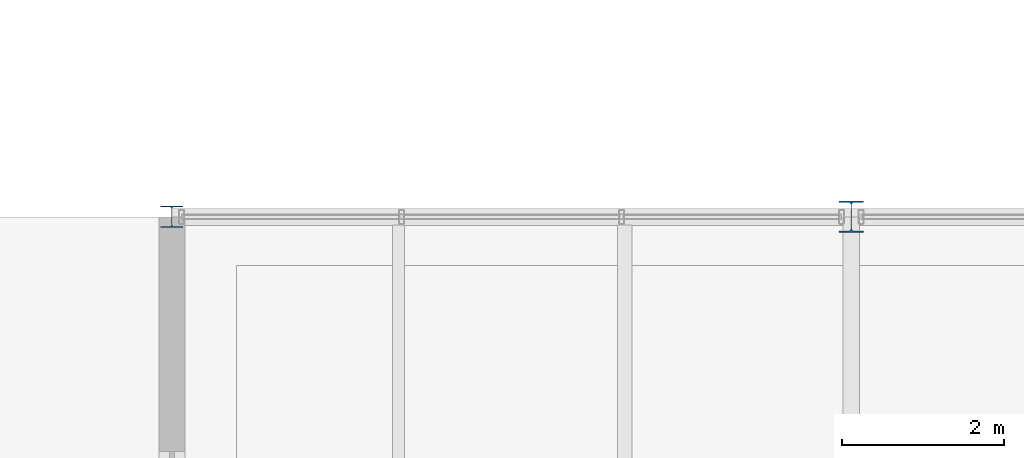
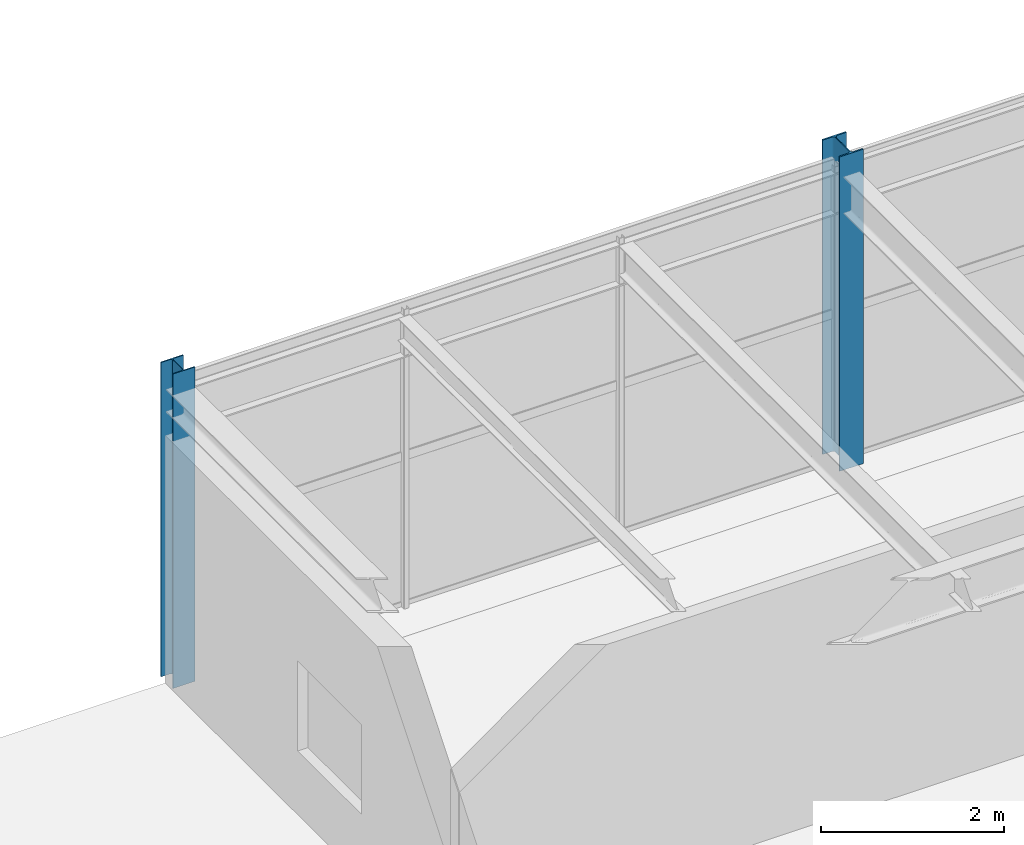
# One storey, part 5 of 73: 2 columns.
"""IFC4 building model written with IfcOpenShell, lengths in metres."""

from ifc_helpers import new_model, si_unit, derived_unit, direction, frame, origin, origin_2d, place, context, subcontext, project, spatial, i_section, extrude, material, material_profile, profile_set, type_object, element, save


model = new_model("IFC4")

# Units and contexts
model_context = context("Model", 3, precision=1e-05, world=origin(), true_north=direction((0.0, 1.0)))
body_context = subcontext(model_context, "Body", "Model", "MODEL_VIEW")
ifc_project = project(units=[si_unit("LENGTHUNIT", "METRE"), si_unit("AREAUNIT", "SQUARE_METRE"), si_unit("VOLUMEUNIT", "CUBIC_METRE"), si_unit("PLANEANGLEUNIT", "RADIAN"), si_unit("MASSUNIT", "GRAM", prefix="KILO"), derived_unit("THERMALTRANSMITTANCEUNIT", [(si_unit("MASSUNIT", "GRAM", prefix="KILO"), 1), (si_unit("TIMEUNIT", "SECOND"), -3), (si_unit("THERMODYNAMICTEMPERATUREUNIT", "KELVIN"), -1)])], contexts=[model_context])

# Site, building, storey
site_placement = place(None, origin())
site = spatial("IfcSite", under=ifc_project, at=site_placement, CompositionType="ELEMENT")
building_placement = place(site_placement, origin())
building = spatial("IfcBuilding", under=site, at=building_placement, Name="Kharveza Railside Sports Centre", CompositionType="ELEMENT")
storey_placement = place(building_placement, frame((0.0, 0.0, 8.699951171875)))
storey = spatial("IfcBuildingStorey", under=building, at=storey_placement, Name="L02", CompositionType="ELEMENT", Elevation=8.699951171875)

# Columns
ifc_material = material(Name="Steel S355J2", Category="steel")
ifc_material_profile_1 = material_profile(ifc_material, i_section(OverallWidth=0.300048828125, OverallDepth=0.389892578125, WebThickness=0.010986328125, FlangeThickness=0.01904296875, FilletRadius=0.027099609375, at=origin_2d()), Name="HEA 400")
ifc_profile_set_1 = profile_set([ifc_material_profile_1], Name="Steel S355J2")
column_type_1 = type_object("IfcColumnType", Name="COL-S10", PredefinedType="COLUMN", material=ifc_profile_set_1)
column_1_placement = place(storey_placement, frame((126.0, 36.0, 0.0), z_axis=(0.0, 0.0, 1.0), x_axis=(1.0, 0.0, 0.0)))
element("IfcColumn", 1, at=column_1_placement, inside=storey, type_object=column_type_1, Name="COL-G-C10-X1260-Y360-L02", PredefinedType="COLUMN", context=body_context, shape_type="SweptSolid", body=[
    extrude(i_section(OverallWidth=0.300048828125, OverallDepth=0.389892578125, WebThickness=0.010986328125, FlangeThickness=0.01904296875, FilletRadius=0.027099609375, at=origin_2d()), origin(), (0.0, 0.0, 1.0), 4.199951171875),
])
ifc_material_profile_2 = material_profile(ifc_material, i_section(OverallWidth=0.280029296875, OverallDepth=0.27001953125, WebThickness=0.008056640625, FlangeThickness=0.012939453125, FilletRadius=0.02392578125, at=origin_2d()), Name="HEA 280")
ifc_profile_set_2 = profile_set([ifc_material_profile_2], Name="Steel S355J2")
column_type_2 = type_object("IfcColumnType", Name="COL-S13", PredefinedType="COLUMN", material=ifc_profile_set_2)
column_2_placement = place(storey_placement, frame((117.60009765625, 36.0, 0.0), z_axis=(0.0, 0.0, 1.0), x_axis=(1.0, 0.0, 0.0)))
element("IfcColumn", 2, at=column_2_placement, inside=storey, type_object=column_type_2, Name="COL-G-C13-X1176-Y360-L02", PredefinedType="COLUMN", context=body_context, shape_type="SweptSolid", body=[
    extrude(i_section(OverallWidth=0.280029296875, OverallDepth=0.27001953125, WebThickness=0.008056640625, FlangeThickness=0.012939453125, FilletRadius=0.02392578125, at=origin_2d()), origin(), (0.0, 0.0, 1.0), 4.199951171875),
])

save(model, "model.ifc")
